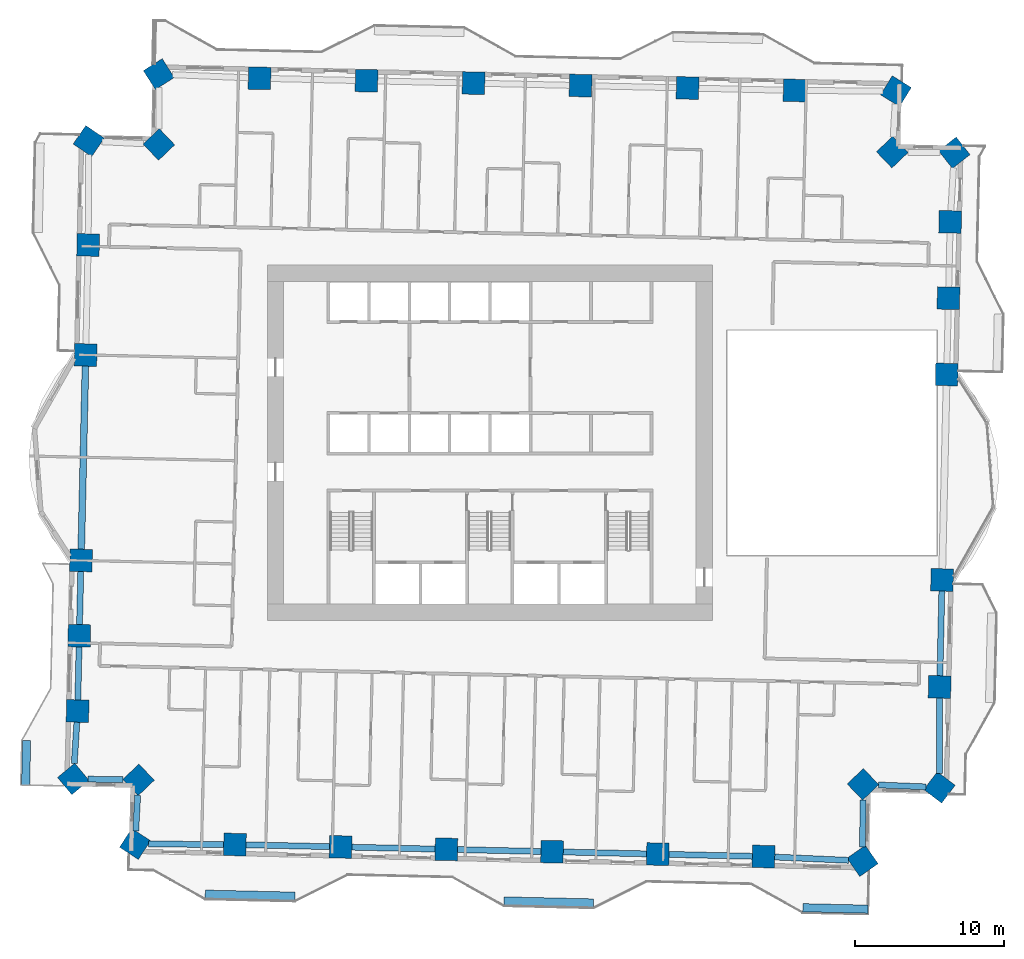
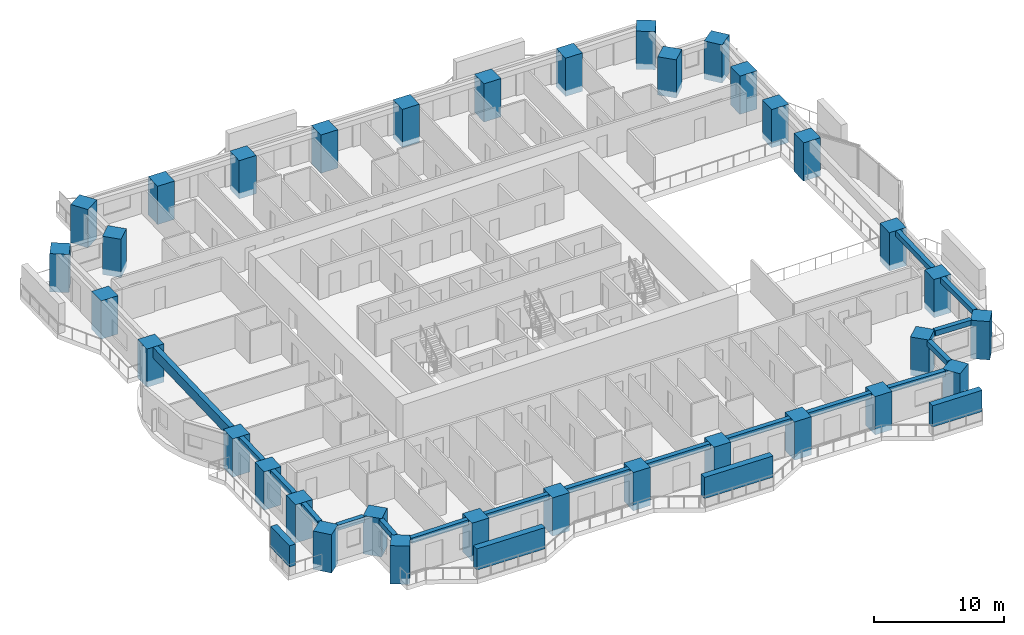
# One storey, part 1 of 19: 34 columns, 17 beams, 4 members.
"""IFC4 building model written with IfcOpenShell, lengths in metres."""

from ifc_helpers import new_model, si_unit, direction, frame, origin, origin_2d, place, context, subcontext, project, spatial, rectangle, extrude, material, material_profile, profile_set, type_object, element, save


model = new_model("IFC4")

# Units and contexts
model_context = context("Model", 3, precision=1e-05, world=origin(), true_north=direction((0.0, 1.0)))
body_context = subcontext(model_context, "Body", "Model", "MODEL_VIEW")
ifc_project = project(units=[si_unit("LENGTHUNIT", "METRE"), si_unit("AREAUNIT", "SQUARE_METRE"), si_unit("VOLUMEUNIT", "CUBIC_METRE"), si_unit("PLANEANGLEUNIT", "RADIAN"), si_unit("MASSUNIT", "GRAM", prefix="KILO")], contexts=[model_context])

# Site, building, storey
site_placement = place(None, origin())
site = spatial("IfcSite", under=ifc_project, at=site_placement, CompositionType="ELEMENT")
building_placement = place(site_placement, origin())
building = spatial("IfcBuilding", under=site, at=building_placement, Name="Mangrove Gate Tower", CompositionType="ELEMENT")
storey_placement = place(building_placement, frame((0.0, 0.0, 63.89990234375)))
storey = spatial("IfcBuildingStorey", under=building, at=storey_placement, Name="L15", CompositionType="ELEMENT", Elevation=63.89990234375)

# Columns
ifc_material_1 = material(Name="Concrete C70/85", Category="concrete")
ifc_material_profile_1 = material_profile(ifc_material_1, rectangle(XDim=1.5, YDim=1.5, at=origin_2d()))
ifc_profile_set_1 = profile_set([ifc_material_profile_1], Name="Concrete C70/85")
column_type = type_object("IfcColumnType", Name="Column RC 1500x1500 C70/85", PredefinedType="COLUMN", material=ifc_profile_set_1)
for number, where, z_axis, x_axis, name in (
    (1, (-27.3662109375, -7.8701171875, -0.5498046875), (0.0, 0.0, 1.0), (-0.022722615033, -0.999741808051, 0.0), "Column L15 W05"),
    (2, (-27.481201171875, -12.909912109375, -0.5498046875), (0.0, 0.0, 1.0), (-0.022712390043, -0.999742040398, 0.0), "Column L15 W06"),
    (3, (-27.59521484375, -17.949951171875, -0.5498046875), (0.0, 0.0, 1.0), (-0.022710139149, -0.999742091532, 0.0), "Column L15 W07"),
    (4, (-27.8837890625, -22.493896484375, -0.5498046875), (0.0, 0.0, 1.0), (0.640243203999, -0.768172272172, 0.0), "Column L15 W08"),
    (5, (-23.518798828125, -22.5546875, -0.5498046875), (0.0, 0.0, 1.0), (0.691018296422, -0.722837266617, 0.0), "Column L15 W09"),
    (6, (-23.74951171875, -26.84423828125, -0.5498046875), (0.0, 0.0, 1.0), (0.837001319642, -0.547200868893, 0.0), "Column L15 S01"),
    (7, (-17.069091796875, -26.88330078125, -0.5498046875), (0.0, 0.0, 1.0), (0.999742746705, -0.022681278839, 0.0), "Column L15 S02"),
    (8, (-9.993896484375, -27.043212890625, -0.5498046875), (0.0, 0.0, 1.0), (0.999742783124, -0.022679673549, 0.0), "Column L15 S03"),
    (9, (-2.9189453125, -27.2041015625, -0.5498046875), (0.0, 0.0, 1.0), (0.999742783124, -0.022679673549, 0.0), "Column L15 S04"),
    (10, (4.156005859375, -27.3642578125, -0.5498046875), (0.0, 0.0, 1.0), (0.999742746705, -0.022681278839, 0.0), "Column L15 S05"),
    (11, (11.22998046875, -27.525146484375, -0.5498046875), (0.0, 0.0, 1.0), (0.999741142154, -0.022751894086, 0.0), "Column L15 S06"),
    (12, (18.304931640625, -27.686279296875, -0.5498046875), (0.0, 0.0, 1.0), (0.999742783124, -0.022679673549, 0.0), "Column L15 S07"),
    (13, (24.9326171875, -27.981689453125, -0.5498046875), (0.0, 0.0, 1.0), (0.819023244747, 0.573760337218, 0.0), "Column L15 S08"),
    (14, (24.962890625, -22.854736328125, -0.5498046875), (0.0, 0.0, 1.0), (0.722904645442, 0.690947808158, 0.0), "Column L15 E01"),
    (15, (30.082275390625, -23.060791015625, -0.5498046875), (0.0, 0.0, 1.0), (0.605733382364, 0.795667687851, 0.0), "Column L15 E02"),
    (16, (30.09228515625, -16.337890625, -0.5498046875), (0.0, 0.0, 1.0), (0.02268810132, 0.9997425919, 0.0), "Column L15 E03"),
    (17, (30.254150390625, -9.177001953125, -0.5498046875), (0.0, 0.0, 1.0), (0.022664929308, 0.999743117495, 0.0), "Column L15 E04"),
    (18, (30.566162109375, 4.570068359375, -0.5498046875), (0.0, 0.0, 1.0), (0.022694906351, 0.999742437444, 0.0), "Column L15 E05"),
    (19, (30.68212890625, 9.677001953125, -0.5498046875), (0.0, 0.0, 1.0), (0.022708062743, 0.999742138697, 0.0), "Column L15 E06"),
    (20, (30.798095703125, 14.783935546875, -0.5498046875), (0.0, 0.0, 1.0), (0.022710278739, 0.999742088361, 0.0), "Column L15 E07"),
    (21, (31.073974609375, 19.409912109375, -0.5498046875), (0.0, 0.0, 1.0), (-0.617420768596, 0.786633074887, 0.0), "Column L15 E08"),
    (22, (26.9228515625, 19.450927734375, -0.5498046875), (0.0, 0.0, 1.0), (-0.69084800058, 0.723000027728, 0.0), "Column L15 E09"),
    (23, (27.166015625, 23.52978515625, -0.5498046875), (0.0, 0.0, 1.0), (-0.85094209372, 0.525259510276, 0.0), "Column L15 N01"),
    (24, (20.383056640625, 23.580078125, -0.5498046875), (0.0, 0.0, 1.0), (-0.999742555864, 0.022689689161, 0.0), "Column L15 N02"),
    (25, (13.222900390625, 23.7431640625, -0.5498046875), (0.0, 0.0, 1.0), (-0.9997425919, 0.02268810132, 0.0), "Column L15 N03"),
    (26, (6.06201171875, 23.9052734375, -0.5498046875), (0.0, 0.0, 1.0), (-0.9997425919, 0.02268810132, 0.0), "Column L15 N04"),
    (27, (-1.097900390625, 24.068115234375, -0.5498046875), (0.0, 0.0, 1.0), (-0.9997425919, 0.02268810132, 0.0), "Column L15 N05"),
    (28, (-8.259033203125, 24.230224609375, -0.5498046875), (0.0, 0.0, 1.0), (-0.9997425919, 0.02268810132, 0.0), "Column L15 N06"),
    (29, (-15.4189453125, 24.393310546875, -0.5498046875), (0.0, 0.0, 1.0), (-0.9997425919, 0.02268810132, 0.0), "Column L15 N07"),
    (30, (-22.15966796875, 24.672607421875, -0.5498046875), (0.0, 0.0, 1.0), (-0.843102323493, -0.537753170256, 0.0), "Column L15 N08"),
    (31, (-22.15380859375, 19.9638671875, -0.5498046875), (0.0, 0.0, 1.0), (-0.722910554479, -0.69094162577, 0.0), "Column L15 W01"),
    (32, (-26.85107421875, 20.191162109375, -0.5498046875), (0.0, 0.0, 1.0), (-0.564977588075, -0.825106250718, 0.0), "Column L15 W02"),
    (33, (-26.88720703125, 13.238037109375, -0.5498046875), (0.0, 0.0, 1.0), (-0.022682831782, -0.999742711472, 0.0), "Column L15 W03"),
    (34, (-27.05419921875, 5.876953125, -0.5498046875), (0.0, 0.0, 1.0), (-0.022686984597, -0.999742617242, 0.0), "Column L15 W04"),
):
    element("IfcColumn", number, at=place(storey_placement, frame(where, z_axis=z_axis, x_axis=x_axis)), inside=storey, type_object=column_type, Name=name, PredefinedType="COLUMN", context=body_context, shape_type="SweptSolid", body=[
        extrude(rectangle(XDim=1.5, YDim=1.5, at=origin_2d()), origin(), (0.0, 0.0, 1.0), 3.599853515625),
    ])

# Members
ifc_material_2 = material(Name="Planting on aluminium trellis", Category="aluminium")
ifc_material_profile_2 = material_profile(ifc_material_2, rectangle(XDim=0.550048828125, YDim=2.0, at=origin_2d()))
ifc_profile_set_2 = profile_set([ifc_material_profile_2], Name="Planting on aluminium trellis")
member_type = type_object("IfcMemberType", Name="Balcony greenery screen 550x2000", PredefinedType="USERDEFINED", material=ifc_profile_set_2)
member_1_placement = place(storey_placement, frame((-31.073974609375, -22.9140625, 1.800048828125), z_axis=(0.022625271604, 0.999744015778, 0.0), x_axis=(-0.999744015778, 0.022625271604, 0.0)))
element("IfcMember", 35, at=member_1_placement, inside=storey, type_object=member_type, Name="GREEN SCREEN L15 W1.1", ObjectType="PLANTING", PredefinedType="USERDEFINED", context=body_context, shape_type="SweptSolid", body=[
    extrude(rectangle(XDim=0.550048828125, YDim=2.0, at=origin_2d()), origin(), (0.0, 0.0, 1.0), 2.999755859375),
])
member_2_placement = place(storey_placement, frame((-19.052978515625, -30.2041015625, 1.800048828125), z_axis=(0.999743094499, -0.022665943652, 0.0), x_axis=(0.022665943652, 0.999743094499, 0.0)))
element("IfcMember", 36, at=member_2_placement, inside=storey, type_object=member_type, Name="GREEN SCREEN L15 S0.1", ObjectType="PLANTING", PredefinedType="USERDEFINED", context=body_context, shape_type="SweptSolid", body=[
    extrude(rectangle(XDim=0.550048828125, YDim=2.0, at=origin_2d()), origin(), (0.0, 0.0, 1.0), 5.99951171875),
])
member_3_placement = place(storey_placement, frame((0.94091796875, -30.657958984375, 1.800048828125), z_axis=(0.999743178102, -0.022662255828, 0.0), x_axis=(0.022662255828, 0.999743178102, 0.0)))
element("IfcMember", 37, at=member_3_placement, inside=storey, type_object=member_type, Name="GREEN SCREEN L15 S1.1", ObjectType="PLANTING", PredefinedType="USERDEFINED", context=body_context, shape_type="SweptSolid", body=[
    extrude(rectangle(XDim=0.550048828125, YDim=2.0, at=origin_2d()), origin(), (0.0, 0.0, 1.0), 6.00048828125),
])
member_4_placement = place(storey_placement, frame((20.93603515625, -31.111083984375, 1.800048828125), z_axis=(0.999743765213, -0.022636340633, 0.0), x_axis=(0.022636340633, 0.999743765213, 0.0)))
element("IfcMember", 38, at=member_4_placement, inside=storey, type_object=member_type, Name="GREEN SCREEN L15 S1.2", ObjectType="PLANTING", PredefinedType="USERDEFINED", context=body_context, shape_type="SweptSolid", body=[
    extrude(rectangle(XDim=0.550048828125, YDim=2.0, at=origin_2d()), origin(), (0.0, 0.0, 1.0), 4.3681640625),
])

# Beams
ifc_material_3 = material(Name="Concrete C50/60", Category="concrete")
ifc_material_profile_3 = material_profile(ifc_material_3, rectangle(XDim=0.39990234375, YDim=0.5, at=origin_2d()))
ifc_profile_set_3 = profile_set([ifc_material_profile_3], Name="Concrete C50/60")
beam_type_1 = type_object("IfcBeamType", Name="Edge beam RC 400x500 C50/60", PredefinedType="BEAM", material=ifc_profile_set_3)
for number, where, z_axis, x_axis, name in (
    (39, (-27.38330078125, -8.619873046875, 2.800048828125), (-0.02282006784, -0.999739588345, 0.0), (0.999739588345, -0.02282006784, 0.0), "Edge beam L15 00"),
    (40, (-27.498046875, -13.659912109375, 2.800048828125), (-0.022613345678, -0.999744285604, 0.0), (0.999744285604, -0.022613345678, 0.0), "Edge beam L15 01"),
):
    element("IfcBeam", number, at=place(storey_placement, frame(where, z_axis=z_axis, x_axis=x_axis)), inside=storey, type_object=beam_type_1, Name=name, PredefinedType="BEAM", context=body_context, shape_type="SweptSolid", body=[
        extrude(rectangle(XDim=0.39990234375, YDim=0.5, at=origin_2d()), origin(), (0.0, 0.0, 1.0), 3.541259765625),
    ])
beam_1_placement = place(storey_placement, frame((-27.642822265625, -18.69921875, 2.800048828125), z_axis=(-0.063388167278, -0.997988947959, 0.0), x_axis=(0.997988947959, -0.063388167278, 0.0)))
element("IfcBeam", 41, at=beam_1_placement, inside=storey, type_object=beam_type_1, Name="Edge beam L15 02", PredefinedType="BEAM", context=body_context, shape_type="SweptSolid", body=[
    extrude(rectangle(XDim=0.39990234375, YDim=0.5, at=origin_2d()), origin(), (0.0, 0.0, 1.0), 2.769287109375),
])
beam_2_placement = place(storey_placement, frame((-26.89599609375, -22.507568359375, 2.800048828125), z_axis=(0.999902528014, -0.013961893567, 0.0), x_axis=(0.013961893567, 0.999902528014, 0.0)))
element("IfcBeam", 42, at=beam_2_placement, inside=storey, type_object=beam_type_1, Name="Edge beam L15 03", PredefinedType="BEAM", context=body_context, shape_type="SweptSolid", body=[
    extrude(rectangle(XDim=0.39990234375, YDim=0.5, at=origin_2d()), origin(), (0.0, 0.0, 1.0), 2.32568359375),
])
beam_3_placement = place(storey_placement, frame((-23.57421875, -23.582275390625, 2.800048828125), z_axis=(-0.053717540304, -0.99855617061, 0.0), x_axis=(0.99855617061, -0.053717540304, 0.0)))
element("IfcBeam", 43, at=beam_3_placement, inside=storey, type_object=beam_type_1, Name="Edge beam L15 04", PredefinedType="BEAM", context=body_context, shape_type="SweptSolid", body=[
    extrude(rectangle(XDim=0.39990234375, YDim=0.5, at=origin_2d()), origin(), (0.0, 0.0, 1.0), 2.399658203125),
])
beam_4_placement = place(storey_placement, frame((-22.85693359375, -26.849365234375, 2.800048828125), z_axis=(0.99998280823, -0.005863722791, 0.0), x_axis=(0.005863722791, 0.99998280823, 0.0)))
element("IfcBeam", 44, at=beam_4_placement, inside=storey, type_object=beam_type_1, Name="Edge beam L15 05", PredefinedType="BEAM", context=body_context, shape_type="SweptSolid", body=[
    extrude(rectangle(XDim=0.39990234375, YDim=0.5, at=origin_2d()), origin(), (0.0, 0.0, 1.0), 5.037841796875),
])
beam_5_placement = place(storey_placement, frame((-16.319091796875, -26.900146484375, 2.800048828125), z_axis=(0.99974481034, -0.022590134968, 0.0), x_axis=(0.022590134968, 0.99974481034, 0.0)))
element("IfcBeam", 45, at=beam_5_placement, inside=storey, type_object=beam_type_1, Name="Edge beam L15 06", PredefinedType="BEAM", context=body_context, shape_type="SweptSolid", body=[
    extrude(rectangle(XDim=0.39990234375, YDim=0.5, at=origin_2d()), origin(), (0.0, 0.0, 1.0), 5.57666015625),
])
for number, where, z_axis, x_axis, name in (
    (46, (-9.244140625, -27.060302734375, 2.800048828125), (0.999741858145, -0.022720410929, 0.0), (0.022720410929, 0.999741858145, 0.0), "Edge beam L15 07"),
    (47, (-2.169189453125, -27.22119140625, 2.800048828125), (0.99974483268, -0.022589146283, 0.0), (0.022589146283, 0.99974483268, 0.0), "Edge beam L15 08"),
):
    element("IfcBeam", number, at=place(storey_placement, frame(where, z_axis=z_axis, x_axis=x_axis)), inside=storey, type_object=beam_type_1, Name=name, PredefinedType="BEAM", context=body_context, shape_type="SweptSolid", body=[
        extrude(rectangle(XDim=0.39990234375, YDim=0.5, at=origin_2d()), origin(), (0.0, 0.0, 1.0), 5.576904296875),
    ])
beam_6_placement = place(storey_placement, frame((4.90576171875, -27.38134765625, 2.800048828125), z_axis=(0.999741767727, -0.022724389149, 0.0), x_axis=(0.022724389149, 0.999741767727, 0.0)))
element("IfcBeam", 48, at=beam_6_placement, inside=storey, type_object=beam_type_1, Name="Edge beam L15 09", PredefinedType="BEAM", context=body_context, shape_type="SweptSolid", body=[
    extrude(rectangle(XDim=0.39990234375, YDim=0.5, at=origin_2d()), origin(), (0.0, 0.0, 1.0), 5.575927734375),
])
beam_7_placement = place(storey_placement, frame((11.97998046875, -27.542236328125, 2.800048828125), z_axis=(0.99974084012, -0.022765161887, 0.0), x_axis=(0.022765161887, 0.99974084012, 0.0)))
element("IfcBeam", 49, at=beam_7_placement, inside=storey, type_object=beam_type_1, Name="Edge beam L15 10", PredefinedType="BEAM", context=body_context, shape_type="SweptSolid", body=[
    extrude(rectangle(XDim=0.39990234375, YDim=0.5, at=origin_2d()), origin(), (0.0, 0.0, 1.0), 5.57666015625),
])
beam_8_placement = place(storey_placement, frame((19.054443359375, -27.7197265625, 2.800048828125), z_axis=(0.999007314137, -0.044546451056, 0.0), x_axis=(0.044546451056, 0.999007314137, 0.0)))
element("IfcBeam", 50, at=beam_8_placement, inside=storey, type_object=beam_type_1, Name="Edge beam L15 11", PredefinedType="BEAM", context=body_context, shape_type="SweptSolid", body=[
    extrude(rectangle(XDim=0.39990234375, YDim=0.5, at=origin_2d()), origin(), (0.0, 0.0, 1.0), 4.93798828125),
])
beam_9_placement = place(storey_placement, frame((24.93798828125, -27.062255859375, 2.800048828125), z_axis=(0.005864096702, 0.999982806037, 0.0), x_axis=(-0.999982806037, 0.005864096702, 0.0)))
element("IfcBeam", 51, at=beam_9_placement, inside=storey, type_object=beam_type_1, Name="Edge beam L15 12", PredefinedType="BEAM", context=body_context, shape_type="SweptSolid", body=[
    extrude(rectangle(XDim=0.39990234375, YDim=0.5, at=origin_2d()), origin(), (0.0, 0.0, 1.0), 3.1640625),
])
beam_10_placement = place(storey_placement, frame((26.00439453125, -22.896728515625, 2.800048828125), z_axis=(0.999192559953, -0.040177458033, 0.0), x_axis=(0.040177458033, 0.999192559953, 0.0)))
element("IfcBeam", 52, at=beam_10_placement, inside=storey, type_object=beam_type_1, Name="Edge beam L15 13", PredefinedType="BEAM", context=body_context, shape_type="SweptSolid", body=[
    extrude(rectangle(XDim=0.39990234375, YDim=0.5, at=origin_2d()), origin(), (0.0, 0.0, 1.0), 3.165771484375),
])
beam_11_placement = place(storey_placement, frame((30.083740234375, -22.119140625, 2.800048828125), z_axis=(0.001455814442, 0.999998940302, 0.0), x_axis=(-0.999998940302, 0.001455814442, 0.0)))
element("IfcBeam", 53, at=beam_11_placement, inside=storey, type_object=beam_type_1, Name="Edge beam L15 14", PredefinedType="BEAM", context=body_context, shape_type="SweptSolid", body=[
    extrude(rectangle(XDim=0.39990234375, YDim=0.5, at=origin_2d()), origin(), (0.0, 0.0, 1.0), 5.031005859375),
])
beam_12_placement = place(storey_placement, frame((30.109130859375, -15.588134765625, 2.800048828125), z_axis=(0.022634244756, 0.999743812666, 0.0), x_axis=(-0.999743812666, 0.022634244756, 0.0)))
element("IfcBeam", 54, at=beam_12_placement, inside=storey, type_object=beam_type_1, Name="Edge beam L15 15", PredefinedType="BEAM", context=body_context, shape_type="SweptSolid", body=[
    extrude(rectangle(XDim=0.39990234375, YDim=0.5, at=origin_2d()), origin(), (0.0, 0.0, 1.0), 5.662841796875),
])
ifc_material_4 = material(Name="Concrete C50/60", Category="concrete")
ifc_material_profile_4 = material_profile(ifc_material_4, rectangle(XDim=0.449951171875, YDim=1.0, at=origin_2d()))
ifc_profile_set_4 = profile_set([ifc_material_profile_4], Name="Concrete C50/60")
beam_type_2 = type_object("IfcBeamType", Name="Edge beam RC 450x1000 C50/60", PredefinedType="BEAM", material=ifc_profile_set_4)
beam_13_placement = place(storey_placement, frame((-27.0712890625, 5.127197265625, 2.550048828125), z_axis=(-0.022679304231, -0.999742791502, 0.0), x_axis=(0.999742791502, -0.022679304231, 0.0)))
element("IfcBeam", 55, at=beam_13_placement, inside=storey, type_object=beam_type_2, Name="Edge beam L15 33", PredefinedType="BEAM", context=body_context, shape_type="SweptSolid", body=[
    extrude(rectangle(XDim=0.449951171875, YDim=1.0, at=origin_2d()), origin(), (0.0, 0.0, 1.0), 12.25048828125),
])

save(model, "model.ifc")
